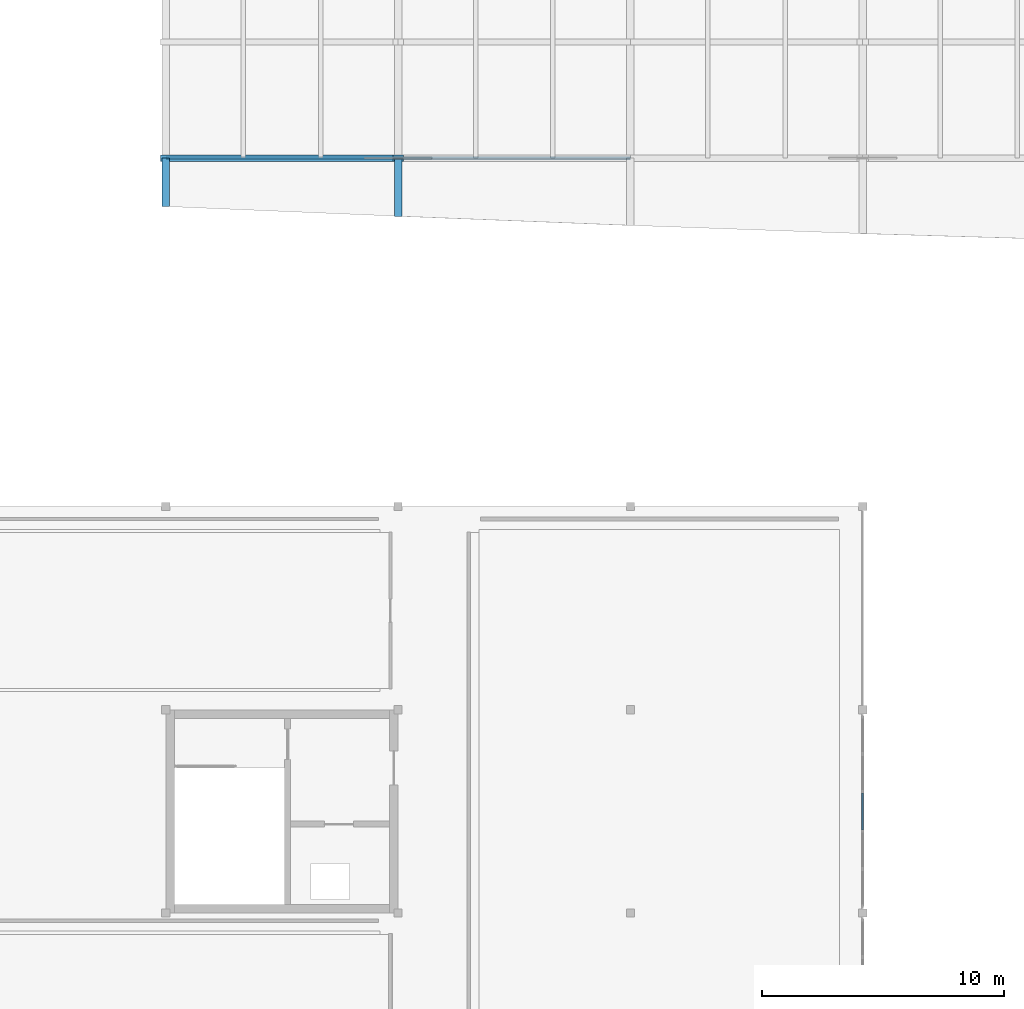
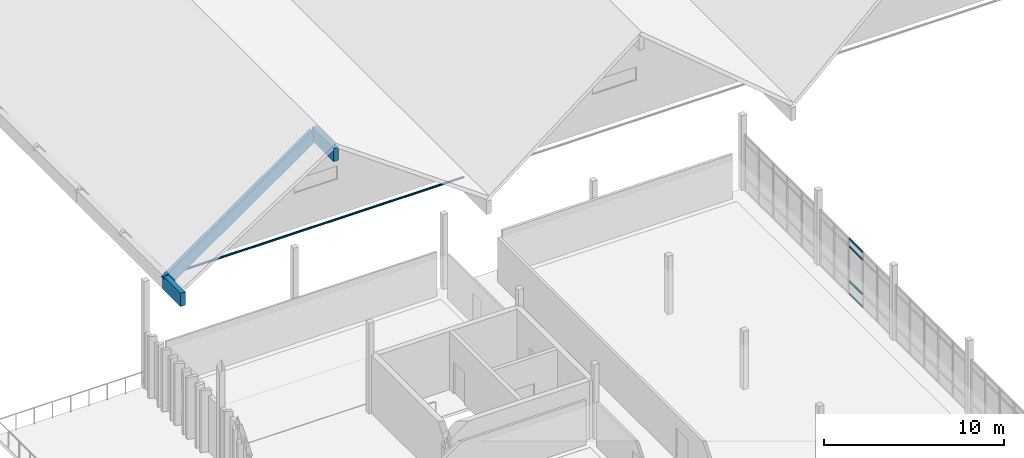
# One storey, part 13 of 42: 8 members, 1 element without a shape of its own.
"""IFC4 building model written with IfcOpenShell, lengths in metres."""

import ifcopenshell
import ifcopenshell.guid

model = None  # the IFC model being written
_history = None  # IfcOwnerHistory: only IFC2X3 demands one
_inside = {}  # id of a spatial element -> (the spatial element, [elements in it])
_under = {}  # id of a project, library or spatial element -> (it, [spatial elements below it])
_declared = {}  # id of a project -> (the project, [libraries it declares])
_typed = {}  # id of a type object -> (the type object, [elements of that type])
_made_of = {}  # id of a material, layer set ... -> (it, [elements and type objects made of it])


def new_model(schema):
    """Start an empty IFC model of exactly this schema.

    Asked for "IFC4X3", IfcOpenShell would pick the latest addendum, in which some entities
    have other attributes; the version numbers below select the first issue.
    IFC2X3 requires an IfcOwnerHistory on every rooted entity: one is made here for all.
    """
    global model, _history
    if schema == "IFC4X3":
        model = ifcopenshell.file(schema_version=(4, 3, 0, 0))
    else:
        model = ifcopenshell.file(schema=schema)
    _inside.clear()
    _under.clear()
    _declared.clear()
    _typed.clear()
    _made_of.clear()
    _history = None
    if model.schema == "IFC2X3":
        org = make("IfcOrganization", Name="unknown")
        user = make(
            "IfcPersonAndOrganization",
            ThePerson=make("IfcPerson", FamilyName="unknown"),
            TheOrganization=org,
        )
        app = make(
            "IfcApplication",
            ApplicationDeveloper=org,
            Version="unknown",
            ApplicationFullName="unknown",
            ApplicationIdentifier="unknown",
        )
        _history = make(
            "IfcOwnerHistory",
            OwningUser=user,
            OwningApplication=app,
            ChangeAction="ADDED",
            CreationDate=0,
        )
    return model


def make(cls, **values):
    """One entity of the class cls with the attributes given. An attribute that is None is left unset."""
    return model.create_entity(
        cls, **{name: value for name, value in values.items() if value is not None}
    )


def rooted(cls, **values):
    """An entity with a GlobalId (a new one), such as an element, a storey or a relation."""
    return make(cls, GlobalId=ifcopenshell.guid.new(), OwnerHistory=_history, **values)


def si_unit(unit_type, name, prefix=None):
    """IfcSIUnit, for example si_unit("LENGTHUNIT", "METRE", prefix="MILLI")."""
    return make("IfcSIUnit", UnitType=unit_type, Prefix=prefix, Name=name)


def assignment(units):
    """IfcUnitAssignment: the units of a project."""
    return None if units is None else make("IfcUnitAssignment", Units=units)


def point(xyz):
    """IfcCartesianPoint."""
    return None if xyz is None else make("IfcCartesianPoint", Coordinates=xyz)


def direction(xyz):
    """IfcDirection."""
    return None if xyz is None else make("IfcDirection", DirectionRatios=xyz)


def frame(location, z_axis=None, x_axis=None):
    """IfcAxis2Placement3D, a coordinate frame: its origin and axes. An axis left out is left unset."""
    return make(
        "IfcAxis2Placement3D",
        Location=point(location),
        Axis=direction(z_axis),
        RefDirection=direction(x_axis),
    )


def frame_2d(location, x_axis=None):
    """IfcAxis2Placement2D, a coordinate frame in the plane: its origin and x axis."""
    return make(
        "IfcAxis2Placement2D", Location=point(location), RefDirection=direction(x_axis)
    )


def origin():
    """The frame at (0, 0, 0) with its axes left unset."""
    return frame((0.0, 0.0, 0.0))


def origin_2d():
    """The frame at (0, 0) in the plane with its x axis left unset."""
    return frame_2d((0.0, 0.0))


def place(relative_to, where):
    """IfcLocalPlacement: puts the frame where relative to a parent placement (None: the world)."""
    return make(
        "IfcLocalPlacement", PlacementRelTo=relative_to, RelativePlacement=where
    )


def context(
    kind, dimensions, precision=None, world=None, true_north=None, identifier=None
):
    """IfcGeometricRepresentationContext, for example the 3D "Model" context."""
    return make(
        "IfcGeometricRepresentationContext",
        ContextIdentifier=identifier,
        ContextType=kind,
        CoordinateSpaceDimension=dimensions,
        Precision=precision,
        WorldCoordinateSystem=world,
        TrueNorth=true_north,
    )


def subcontext(parent, identifier, kind, view, scale=None):
    """IfcGeometricRepresentationSubContext, for example "Body" below "Model"."""
    return make(
        "IfcGeometricRepresentationSubContext",
        ContextIdentifier=identifier,
        ContextType=kind,
        ParentContext=parent,
        TargetScale=scale,
        TargetView=view,
    )


def project(units=None, contexts=None):
    """IfcProject with its units and contexts."""
    return rooted(
        "IfcProject",
        Name="project",
        RepresentationContexts=contexts,
        UnitsInContext=assignment(units),
    )


def spatial(cls, under=None, at=None, **own):
    """A site, building, storey or space (cls), placed at a placement, below another one or the project."""
    s = rooted(cls, ObjectPlacement=at, **own)
    if under is not None:
        _under.setdefault(under.id(), (under, []))[1].append(s)
    return s


def profile(cls, at=None, kind="AREA", **sizes):
    """A parametric profile (cls). Its sizes go by their IFC names, for example OverallWidth=200.0."""
    return make(cls, ProfileType=kind, Position=at, **sizes)


def rectangle(**sizes):
    """IfcRectangleProfileDef."""
    return profile("IfcRectangleProfileDef", **sizes)


def hollow_circle(**sizes):
    """IfcCircleHollowProfileDef."""
    return profile("IfcCircleHollowProfileDef", **sizes)


def extrude(swept, where, along, depth):
    """IfcExtrudedAreaSolid: the profile swept, set in the frame where, extruded along a direction by depth."""
    return make(
        "IfcExtrudedAreaSolid",
        SweptArea=swept,
        Position=where,
        ExtrudedDirection=direction(along),
        Depth=depth,
    )


def shape(context_of_items, identifier, shape_type, items):
    """IfcShapeRepresentation: the items that make up one representation, for example the "Body"."""
    return make(
        "IfcShapeRepresentation",
        ContextOfItems=context_of_items,
        RepresentationIdentifier=identifier,
        RepresentationType=shape_type,
        Items=items,
    )


def material(Name=None, Category=None):
    """IfcMaterial."""
    return make("IfcMaterial", Name=Name, Category=Category)


def layer(
    of_material, thickness, ventilated=None, Name=None, Category=None, Priority=None
):
    """IfcMaterialLayer: one layer of a wall or slab, of a material (None: an air gap)."""
    return make(
        "IfcMaterialLayer",
        Material=of_material,
        LayerThickness=thickness,
        IsVentilated=ventilated,
        Name=Name,
        Category=Category,
        Priority=Priority,
    )


def layer_set(layers, Name=None):
    """IfcMaterialLayerSet."""
    return make("IfcMaterialLayerSet", MaterialLayers=layers, LayerSetName=Name)


def material_profile(
    of_material, cross_section, Name=None, Category=None, Priority=None
):
    """IfcMaterialProfile: a cross section and its material."""
    return make(
        "IfcMaterialProfile",
        Name=Name,
        Material=of_material,
        Profile=cross_section,
        Priority=Priority,
        Category=Category,
    )


def profile_set(profiles, Name=None, composite=None):
    """IfcMaterialProfileSet."""
    return make(
        "IfcMaterialProfileSet",
        Name=Name,
        MaterialProfiles=profiles,
        CompositeProfile=composite,
    )


def made_of(thing, what):
    """Note that an element or type object is made of a material, layer set ...; save() writes the relation."""
    if what is not None:
        _made_of.setdefault(what.id(), (what, []))[1].append(thing)
    return thing


def type_object(cls, material=None, **own):
    """A type object (cls), such as IfcWallType, which elements share."""
    return made_of(rooted(cls, **own), material)


def element(
    cls,
    number,
    at=None,
    inside=None,
    cuts=None,
    type_object=None,
    material=None,
    context=None,
    identifier="Body",
    shape_type=None,
    held_by="IfcProductDefinitionShape",
    body=None,
    shapes=None,
    **own,
):
    """One element of the class cls, such as IfcWall. Its Tag is "e" and its number.

    at: its placement. inside: the storey or other place that contains it. cuts: it is an
    opening in that element (IfcRelVoidsElement). A single representation is given by context,
    identifier, shape_type and body (its items); several are given by shapes. held_by: the class
    of the entity that holds the representations. save() writes the other relations.
    """
    e = rooted(cls, Tag="e%d" % number, ObjectPlacement=at, **own)
    if body is not None:
        shapes = [shape(context, identifier, shape_type, body)]
    if shapes is not None:
        e.Representation = make(held_by, Representations=shapes)
    if inside is not None:
        _inside.setdefault(inside.id(), (inside, []))[1].append(e)
    if cuts is not None:
        rooted(
            "IfcRelVoidsElement", RelatingBuildingElement=cuts, RelatedOpeningElement=e
        )
    if type_object is not None:
        _typed.setdefault(type_object.id(), (type_object, []))[1].append(e)
    return made_of(e, material)


def aggregate(whole, parts):
    """IfcRelAggregates: a whole, such as a stair, and the parts it consists of."""
    return rooted("IfcRelAggregates", RelatingObject=whole, RelatedObjects=parts)


def save(model, path):
    """Write the relations noted so far, then the file.

    IfcRelAggregates (storeys below a building ...), IfcRelContainedInSpatialStructure (elements
    in a storey), IfcRelDefinesByType, IfcRelAssociatesMaterial and IfcRelDeclares: one each for
    every whole, place, type object, material and project.
    """
    for whole, parts in _under.values():
        aggregate(whole, parts)
    for where, things in _inside.values():
        rooted(
            "IfcRelContainedInSpatialStructure",
            RelatedElements=things,
            RelatingStructure=where,
        )
    for kind, things in _typed.values():
        rooted("IfcRelDefinesByType", RelatedObjects=things, RelatingType=kind)
    for what, things in _made_of.values():
        rooted("IfcRelAssociatesMaterial", RelatedObjects=things, RelatingMaterial=what)
    for by, libraries in _declared.values():
        rooted("IfcRelDeclares", RelatingContext=by, RelatedDefinitions=libraries)
    model.write(path)


model = new_model("IFC4")

# Units and contexts
model_context = context("Model", 3, precision=1e-05, world=origin(), true_north=direction((0.0, 1.0)))
body_context = subcontext(model_context, "Body", "Model", "MODEL_VIEW")
ifc_project = project(units=[si_unit("LENGTHUNIT", "METRE"), si_unit("AREAUNIT", "SQUARE_METRE"), si_unit("VOLUMEUNIT", "CUBIC_METRE"), si_unit("PLANEANGLEUNIT", "RADIAN"), si_unit("MASSUNIT", "GRAM", prefix="KILO")], contexts=[model_context])

# Site, building, storey
site_placement = place(None, origin())
site = spatial("IfcSite", under=ifc_project, at=site_placement, CompositionType="ELEMENT")
building_placement = place(site_placement, origin())
building = spatial("IfcBuilding", under=site, at=building_placement, Name="Kolvemor Railside Polytechnic", CompositionType="ELEMENT")
storey_placement = place(building_placement, frame((0.0, 0.0, 14.39990234375)))
storey = spatial("IfcBuildingStorey", under=building, at=storey_placement, Name="L03", CompositionType="ELEMENT", Elevation=14.39990234375)

# Curtain wall, members
ifc_material_1 = material(Name="Anodised marine aluminium and laminated low-E glass", Category="aluminium")
ifc_layer = layer(ifc_material_1, 0.179931640625, Name="CW-UNIT-STD")
ifc_layer_set = layer_set([ifc_layer], Name="Anodised marine aluminium and laminated low-E glass")
curtain_wall_type = type_object("IfcCurtainWallType", Name="CW-UNIT-STD", PredefinedType="USERDEFINED", material=ifc_layer_set)
curtain_wall_placement = place(storey_placement, origin())
curtain_wall = element("IfcCurtainWall", 1, at=curtain_wall_placement, inside=storey, type_object=curtain_wall_type, Name="Curtain Wall L03-078", ObjectType="UNITISED CURTAIN WALL", PredefinedType="USERDEFINED")
ifc_material_2 = material(Name="Anodised marine aluminium 6063-T6", Category="aluminium")
ifc_material_profile_1 = material_profile(ifc_material_2, rectangle(XDim=0.06494140625, YDim=0.1201171875, at=origin_2d()), Name="CW-TRN-65x120")
ifc_profile_set_1 = profile_set([ifc_material_profile_1], Name="Anodised marine aluminium 6063-T6")
member_type_1 = type_object("IfcMemberType", Name="CWT-65x120", PredefinedType="USERDEFINED", material=ifc_profile_set_1)
member_1_placement = place(storey_placement, frame((48.0, 63.4404296875, 0.03271484375), z_axis=(0.0, 1.0, 0.0), x_axis=(-1.0, 0.0, 0.0)))
member_1 = element("IfcMember", 2, at=member_1_placement, type_object=member_type_1, Name="CW-STD transom 3.1", ObjectType="TRANSOM", PredefinedType="USERDEFINED", context=body_context, shape_type="SweptSolid", body=[
    extrude(rectangle(XDim=0.06494140625, YDim=0.1201171875, at=origin_2d()), origin(), (0.0, 0.0, 1.0), 1.51904296875),
])
member_2_placement = place(storey_placement, frame((48.0, 63.4404296875, 0.900146484375), z_axis=(0.0, 1.0, 0.0), x_axis=(-1.0, 0.0, 0.0)))
member_2 = element("IfcMember", 3, at=member_2_placement, type_object=member_type_1, Name="CW-STD transom 3.2", ObjectType="TRANSOM", PredefinedType="USERDEFINED", context=body_context, shape_type="SweptSolid", body=[
    extrude(rectangle(XDim=0.06494140625, YDim=0.1201171875, at=origin_2d()), origin(), (0.0, 0.0, 1.0), 1.51904296875),
])
member_3_placement = place(storey_placement, frame((48.0, 63.4404296875, 3.25), z_axis=(0.0, 1.0, 0.0), x_axis=(-1.0, 0.0, 0.0)))
member_3 = element("IfcMember", 4, at=member_3_placement, type_object=member_type_1, Name="CW-STD transom 3.3", ObjectType="TRANSOM", PredefinedType="USERDEFINED", context=body_context, shape_type="SweptSolid", body=[
    extrude(rectangle(XDim=0.06494140625, YDim=0.1201171875, at=origin_2d()), origin(), (0.0, 0.0, 1.0), 1.51904296875),
])
member_4_placement = place(storey_placement, frame((48.0, 63.4404296875, 3.767578125), z_axis=(0.0, 1.0, 0.0), x_axis=(-1.0, 0.0, 0.0)))
member_4 = element("IfcMember", 5, at=member_4_placement, type_object=member_type_1, Name="CW-STD transom 3.4", ObjectType="TRANSOM", PredefinedType="USERDEFINED", context=body_context, shape_type="SweptSolid", body=[
    extrude(rectangle(XDim=0.06494140625, YDim=0.1201171875, at=origin_2d()), origin(), (0.0, 0.0, 1.0), 1.51904296875),
])
aggregate(curtain_wall, [member_1, member_2, member_3, member_4])

# Members
ifc_material_3 = material(Name="Glulam GL28h", Category="wood")
ifc_material_profile_2 = material_profile(ifc_material_3, rectangle(XDim=0.31494140625, YDim=0.89990234375, at=origin_2d()), Name="GL315x900")
ifc_profile_set_2 = profile_set([ifc_material_profile_2], Name="Glulam GL28h")
member_type_2 = type_object("IfcMemberType", Name="MEM-FP-CHORD", PredefinedType="CHORD", material=ifc_profile_set_2)
member_5_placement = place(storey_placement, frame((19.199951171875, 89.199951171875, -4.96875), z_axis=(0.0, 1.0, 0.0), x_axis=(-1.0, 0.0, 0.0)))
element("IfcMember", 6, at=member_5_placement, inside=storey, type_object=member_type_2, Name="Folded-Plate Valley Chord CH-V1-1", PredefinedType="CHORD", context=body_context, shape_type="SweptSolid", body=[
    extrude(rectangle(XDim=0.31494140625, YDim=0.89990234375, at=origin_2d()), origin(), (0.0, 0.0, 1.0), 2.0),
])
member_6_placement = place(storey_placement, frame((28.800048828125, 88.799072265625, 1.75732421875), z_axis=(0.0, 1.0, 0.0), x_axis=(-1.0, 0.0, 0.0)))
element("IfcMember", 7, at=member_6_placement, inside=storey, type_object=member_type_2, Name="Folded-Plate Ridge Chord CH-R1-1", PredefinedType="CHORD", context=body_context, shape_type="SweptSolid", body=[
    extrude(rectangle(XDim=0.31494140625, YDim=0.89990234375, at=origin_2d()), origin(), (0.0, 0.0, 1.0), 2.40087890625),
])
ifc_material_4 = material(Name="Glulam GL28h", Category="wood")
ifc_material_profile_3 = material_profile(ifc_material_4, rectangle(XDim=0.264892578125, YDim=0.760009765625, at=origin_2d()), Name="GL265x760")
ifc_profile_set_3 = profile_set([ifc_material_profile_3], Name="Glulam GL28h")
member_type_3 = type_object("IfcMemberType", Name="MEM-FP-RAFTER", PredefinedType="RAFTER", material=ifc_profile_set_3)
member_7_placement = place(storey_placement, frame((19.199951171875, 91.199951171875, -4.9560546875), z_axis=(0.820038413618, 0.0, 0.572308483417), x_axis=(0.0, 1.0, 0.0)))
element("IfcMember", 8, at=member_7_placement, inside=storey, type_object=member_type_3, Name="Folded-Plate West Rafter RF-W1-1", PredefinedType="RAFTER", context=body_context, shape_type="SweptSolid", body=[
    extrude(rectangle(XDim=0.264892578125, YDim=0.760009765625, at=origin_2d()), origin(), (0.0, 0.0, 1.0), 11.706787109375),
])
ifc_material_5 = material(Name="Steel S355", Category="steel")
ifc_material_profile_4 = material_profile(ifc_material_5, hollow_circle(Radius=0.06982421875, WallThickness=0.008056640625, at=origin_2d()), Name="CHS139.7x8")
ifc_profile_set_4 = profile_set([ifc_material_profile_4], Name="Steel S355")
member_type_4 = type_object("IfcMemberType", Name="MEM-FP-TIE2", PredefinedType="COLLAR", material=ifc_profile_set_4)
member_8_placement = place(storey_placement, frame((19.199951171875, 91.199951171875, -4.599853515625), z_axis=(1.0, 0.0, 0.0), x_axis=(0.0, 1.0, 0.0)))
element("IfcMember", 9, at=member_8_placement, inside=storey, type_object=member_type_4, Name="Folded-Plate Collar Tie CT-1-1", PredefinedType="COLLAR", context=body_context, shape_type="SweptSolid", body=[
    extrude(hollow_circle(Radius=0.06982421875, WallThickness=0.008056640625, at=origin_2d()), origin(), (0.0, 0.0, 1.0), 19.199951171875),
])

save(model, "model.ifc")
